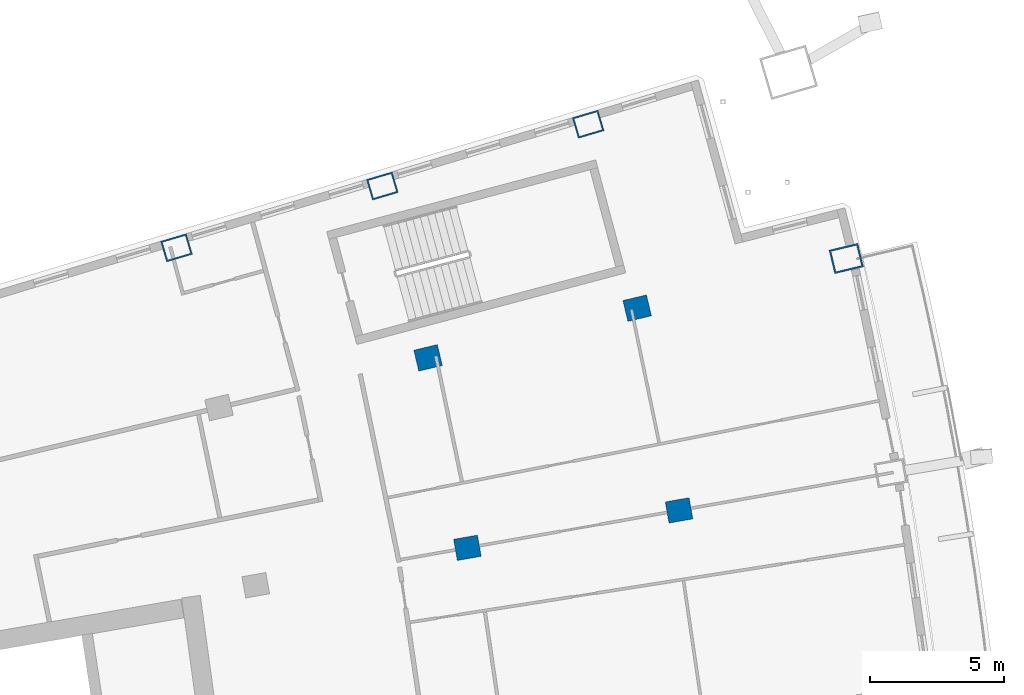
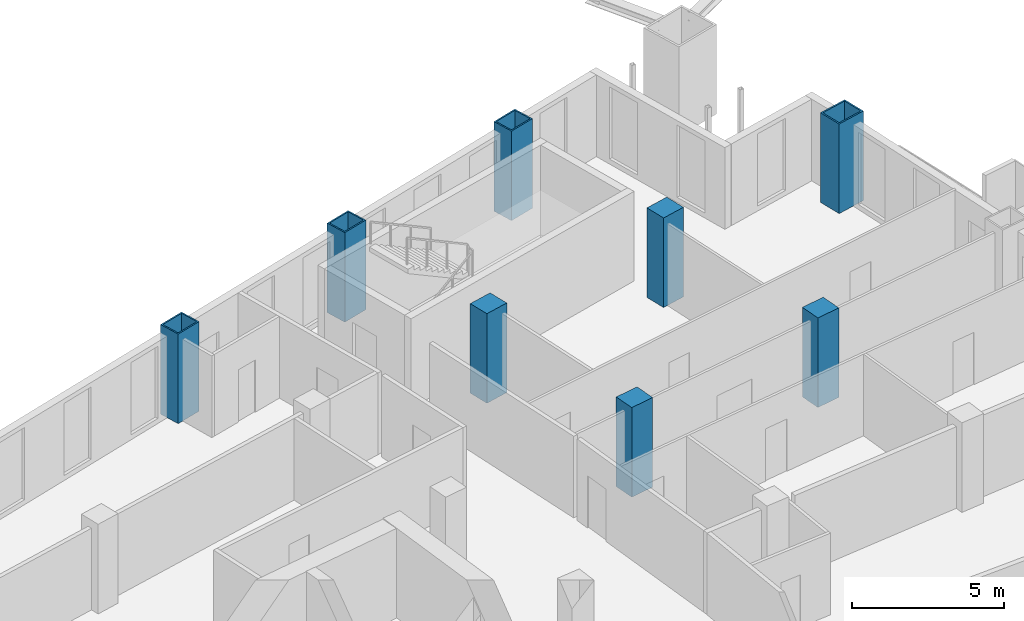
# One storey, part 8 of 22: 8 columns.
"""IFC4 building model written with IfcOpenShell, lengths in metres."""

from ifc_helpers import new_model, si_unit, direction, frame, origin, origin_2d, place, context, subcontext, project, spatial, rectangle, hollow_rectangle, extrude, material, material_profile, profile_set, type_object, element, save


model = new_model("IFC4")

# Units and contexts
model_context = context("Model", 3, precision=1e-05, world=origin(), true_north=direction((0.0, 1.0)))
body_context = subcontext(model_context, "Body", "Model", "MODEL_VIEW")
ifc_project = project(units=[si_unit("LENGTHUNIT", "METRE"), si_unit("AREAUNIT", "SQUARE_METRE"), si_unit("VOLUMEUNIT", "CUBIC_METRE"), si_unit("PLANEANGLEUNIT", "RADIAN"), si_unit("MASSUNIT", "GRAM", prefix="KILO")], contexts=[model_context])

# Site, building, storey
site_placement = place(None, origin())
site = spatial("IfcSite", under=ifc_project, at=site_placement, CompositionType="ELEMENT")
building_placement = place(site_placement, origin())
building = spatial("IfcBuilding", under=site, at=building_placement, Name="Alderwake Tower", CompositionType="ELEMENT")
storey_placement = place(building_placement, frame((0.0, 0.0, 156.800048828125)))
storey = spatial("IfcBuildingStorey", under=building, at=storey_placement, Name="L38", CompositionType="ELEMENT", Elevation=156.800048828125)

# Columns
ifc_material_1 = material(Name="Steel ASTM A572 Grade 50 concrete filled C70/85", Category="concrete")
ifc_material_profile_1 = material_profile(ifc_material_1, hollow_rectangle(XDim=0.800048828125, YDim=1.0, WallThickness=0.054931640625, at=origin_2d()), Name="BOX 1000X800X55")
ifc_profile_set_1 = profile_set([ifc_material_profile_1], Name="Steel ASTM A572 Grade 50 concrete filled C70/85")
column_type_1 = type_object("IfcColumnType", Name="End column Z3", PredefinedType="COLUMN", material=ifc_profile_set_1)
for number, where, z_axis, x_axis, name in (
    (1, (31.080322265625, 93.72314453125, 0.0), (0.0, 0.0, 1.0), (-0.282582549822, 0.959242984095, 0.0), "Column R12-C2"),
    (2, (38.74267578125, 96.0234375, 0.0), (0.0, 0.0, 1.0), (-0.282903979359, 0.959148235917, 0.0), "Column R12-C3"),
    (3, (46.40478515625, 98.323974609375, 0.0), (0.0, 0.0, 1.0), (-0.283185204145, 0.959065242908, 0.0), "Column R12-C4"),
):
    element("IfcColumn", number, at=place(storey_placement, frame(where, z_axis=z_axis, x_axis=x_axis)), inside=storey, type_object=column_type_1, Name=name, PredefinedType="COLUMN", context=body_context, shape_type="SweptSolid", body=[
        extrude(hollow_rectangle(XDim=0.800048828125, YDim=1.0, WallThickness=0.054931640625, at=origin_2d()), origin(), (0.0, 0.0, 1.0), 3.599853515625),
    ])
ifc_material_2 = material(Name="Concrete C70/85", Category="concrete")
ifc_material_profile_2 = material_profile(ifc_material_2, rectangle(XDim=0.800048828125, YDim=0.89990234375, at=origin_2d()), Name="RC 900X800")
ifc_profile_set_2 = profile_set([ifc_material_profile_2], Name="Concrete C70/85")
column_type_2 = type_object("IfcColumnType", Name="Interior column Z3", PredefinedType="COLUMN", material=ifc_profile_set_2)
for number, where, z_axis, x_axis, name in (
    (4, (41.9091796875, 82.5546875, 0.0), (0.0, 0.0, 1.0), (-0.174108800747, 0.984726421654, 0.0), "Column R10-C3"),
    (5, (49.787109375, 83.947509765625, 0.0), (0.0, 0.0, 1.0), (-0.174108800747, 0.984726421654, 0.0), "Column R10-C4"),
    (6, (40.4453125, 89.625244140625, 0.0), (0.0, 0.0, 1.0), (-0.231221547198, 0.972901123502, 0.0), "Column R11-C3"),
    (7, (48.228515625, 91.47509765625, 0.0), (0.0, 0.0, 1.0), (-0.231221547198, 0.972901123502, 0.0), "Column R11-C4"),
):
    element("IfcColumn", number, at=place(storey_placement, frame(where, z_axis=z_axis, x_axis=x_axis)), inside=storey, type_object=column_type_2, Name=name, PredefinedType="COLUMN", context=body_context, shape_type="SweptSolid", body=[
        extrude(rectangle(XDim=0.800048828125, YDim=0.89990234375, at=origin_2d()), origin(), (0.0, 0.0, 1.0), 3.599853515625),
    ])
ifc_material_3 = material(Name="Steel ASTM A572 Grade 50 concrete filled C70/85", Category="concrete")
ifc_material_profile_3 = material_profile(ifc_material_3, hollow_rectangle(XDim=0.89990234375, YDim=1.10009765625, WallThickness=0.06005859375, at=origin_2d()), Name="BOX 1100X900X60")
ifc_profile_set_3 = profile_set([ifc_material_profile_3], Name="Steel ASTM A572 Grade 50 concrete filled C70/85")
column_type_3 = type_object("IfcColumnType", Name="Perimeter column Z3", PredefinedType="COLUMN", material=ifc_profile_set_3)
column_placement = place(storey_placement, frame((56.01171875, 93.32470703125, 0.0), z_axis=(0.0, 0.0, 1.0), x_axis=(-0.231221547198, 0.972901123502, 0.0)))
element("IfcColumn", 8, at=column_placement, inside=storey, type_object=column_type_3, Name="Column R11-C5", PredefinedType="COLUMN", context=body_context, shape_type="SweptSolid", body=[
    extrude(hollow_rectangle(XDim=0.89990234375, YDim=1.10009765625, WallThickness=0.06005859375, at=origin_2d()), origin(), (0.0, 0.0, 1.0), 3.599853515625),
])

save(model, "model.ifc")
